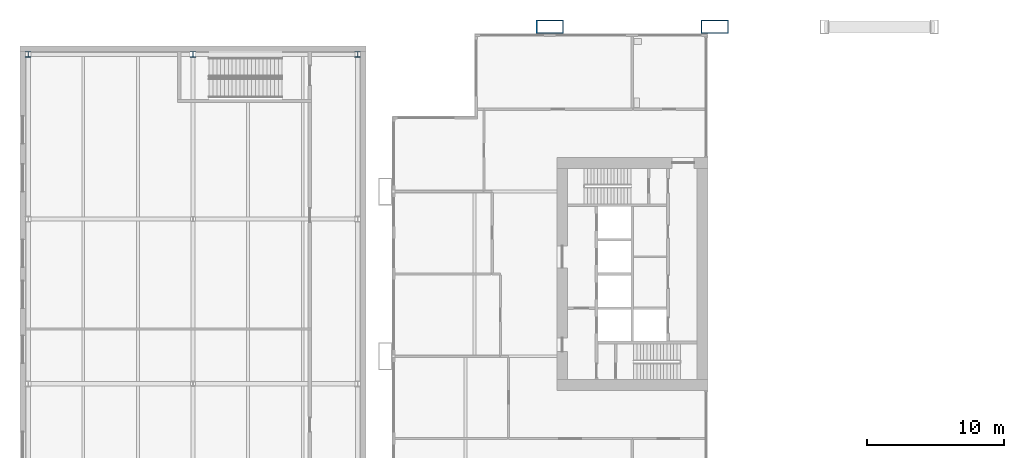
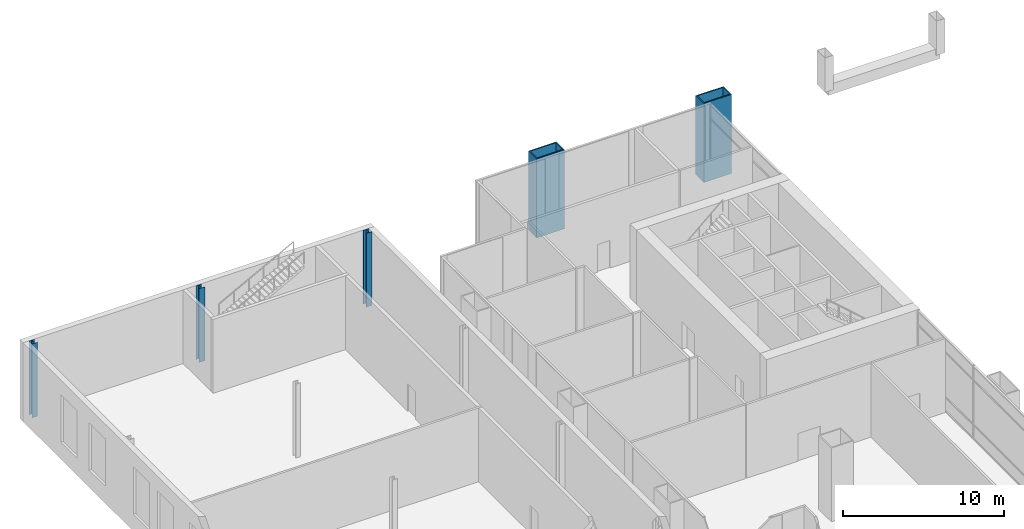
# One storey, part 5 of 25: 5 columns.
"""IFC4 building model written with IfcOpenShell, lengths in metres."""

from ifc_helpers import new_model, si_unit, direction, frame, origin, origin_2d, place, context, subcontext, project, spatial, hollow_rectangle, i_section, extrude, material, material_profile, profile_set, type_object, element, save


model = new_model("IFC4")

# Units and contexts
model_context = context("Model", 3, precision=1e-05, world=origin(), true_north=direction((0.0, 1.0)))
body_context = subcontext(model_context, "Body", "Model", "MODEL_VIEW")
ifc_project = project(units=[si_unit("LENGTHUNIT", "METRE"), si_unit("AREAUNIT", "SQUARE_METRE"), si_unit("VOLUMEUNIT", "CUBIC_METRE"), si_unit("PLANEANGLEUNIT", "RADIAN"), si_unit("MASSUNIT", "GRAM", prefix="KILO")], contexts=[model_context])

# Site, building, storey
site_placement = place(None, origin())
site = spatial("IfcSite", under=ifc_project, at=site_placement, CompositionType="ELEMENT")
building_placement = place(site_placement, origin())
building = spatial("IfcBuilding", under=site, at=building_placement, Name="Kitamizu Gate Tower and Museum", CompositionType="ELEMENT")
storey_placement = place(building_placement, frame((0.0, 0.0, 18.0)))
storey = spatial("IfcBuildingStorey", under=building, at=storey_placement, Name="L03", CompositionType="ELEMENT", Elevation=18.0)

# Columns
ifc_material_1 = material(Name="Steel SS400", Category="steel")
ifc_material_profile_1 = material_profile(ifc_material_1, i_section(OverallWidth=0.39990234375, OverallDepth=0.39990234375, WebThickness=0.012939453125, FlangeThickness=0.02099609375, FilletRadius=0.02197265625, at=origin_2d()), Name="H-400x400x13x21")
ifc_profile_set_1 = profile_set([ifc_material_profile_1], Name="Steel SS400")
column_type_1 = type_object("IfcColumnType", Name="Museum perimeter column H 400x400x13x21", PredefinedType="COLUMN", material=ifc_profile_set_1)
for number, where, z_axis, x_axis, name in (
    (1, (-26.0, 46.0, 0.0), (0.0, 0.0, 1.0), (1.0, 0.0, 0.0), "Column M1MG"),
    (2, (-14.0, 46.0, 0.0), (0.0, 0.0, 1.0), (1.0, 0.0, 0.0), "Column M2MG"),
    (3, (-2.0, 46.0, 0.0), (0.0, 0.0, 1.0), (1.0, 0.0, 0.0), "Column M3MG"),
):
    element("IfcColumn", number, at=place(storey_placement, frame(where, z_axis=z_axis, x_axis=x_axis)), inside=storey, type_object=column_type_1, Name=name, PredefinedType="COLUMN", context=body_context, shape_type="SweptSolid", body=[
        extrude(i_section(OverallWidth=0.39990234375, OverallDepth=0.39990234375, WebThickness=0.012939453125, FlangeThickness=0.02099609375, FilletRadius=0.02197265625, at=origin_2d()), origin(), (0.0, 0.0, 1.0), 5.60009765625),
    ])
ifc_material_2 = material(Name="Steel SM490A bronze coated", Category="steel")
ifc_material_profile_2 = material_profile(ifc_material_2, hollow_rectangle(XDim=2.0, YDim=1.0, WallThickness=0.080078125, at=origin_2d()), Name="BOX 2000x1000x80")
ifc_profile_set_2 = profile_set([ifc_material_profile_2], Name="Steel SM490A bronze coated")
column_type_2 = type_object("IfcColumnType", Name="Podium leg column LC1 BOX 2000x1000x80", PredefinedType="COLUMN", material=ifc_profile_set_2)
for number, where, z_axis, x_axis, name in (
    (4, (12.0, 48.0, -0.39990234375), (0.0, 0.0, 1.0), (1.0, 0.0, 0.0), "Column LC1 2E L03"),
    (5, (24.0, 48.0, -0.39990234375), (0.0, 0.0, 1.0), (1.0, 0.0, 0.0), "Column LC1 3E L03"),
):
    element("IfcColumn", number, at=place(storey_placement, frame(where, z_axis=z_axis, x_axis=x_axis)), inside=storey, type_object=column_type_2, Name=name, PredefinedType="COLUMN", context=body_context, shape_type="SweptSolid", body=[
        extrude(hollow_rectangle(XDim=2.0, YDim=1.0, WallThickness=0.080078125, at=origin_2d()), origin(), (0.0, 0.0, 1.0), 6.0),
    ])

save(model, "model.ifc")
